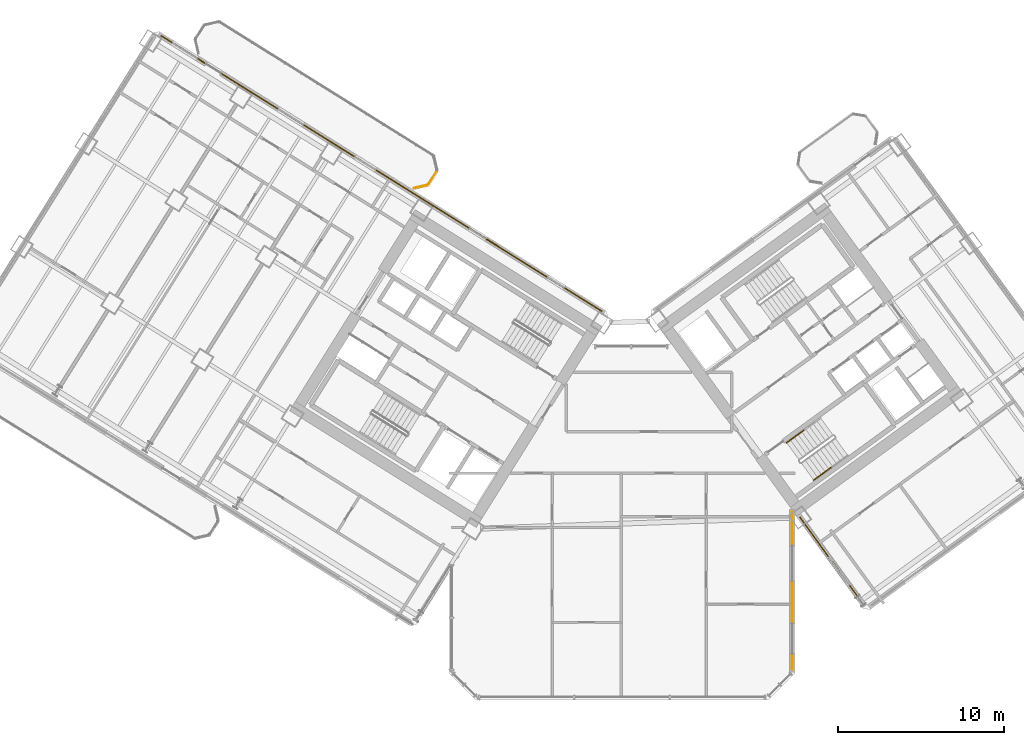
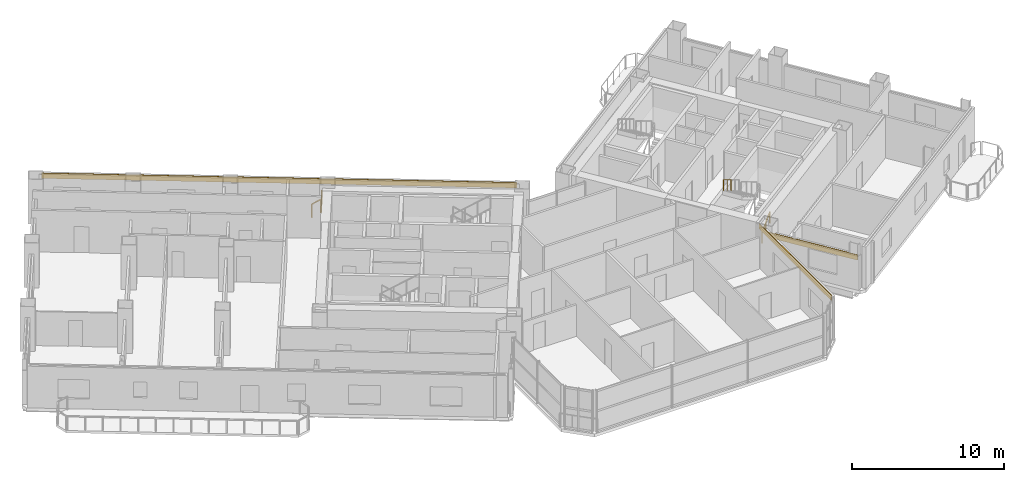
# One storey, part 25 of 28: 4 railings, 3 coverings.
"""IFC4 building model written with IfcOpenShell, lengths in metres."""

import ifcopenshell
import ifcopenshell.guid

model = None  # the IFC model being written
_history = None  # IfcOwnerHistory: only IFC2X3 demands one
_inside = {}  # id of a spatial element -> (the spatial element, [elements in it])
_under = {}  # id of a project, library or spatial element -> (it, [spatial elements below it])
_declared = {}  # id of a project -> (the project, [libraries it declares])
_typed = {}  # id of a type object -> (the type object, [elements of that type])
_made_of = {}  # id of a material, layer set ... -> (it, [elements and type objects made of it])


def new_model(schema):
    """Start an empty IFC model of exactly this schema.

    Asked for "IFC4X3", IfcOpenShell would pick the latest addendum, in which some entities
    have other attributes; the version numbers below select the first issue.
    IFC2X3 requires an IfcOwnerHistory on every rooted entity: one is made here for all.
    """
    global model, _history
    if schema == "IFC4X3":
        model = ifcopenshell.file(schema_version=(4, 3, 0, 0))
    else:
        model = ifcopenshell.file(schema=schema)
    _inside.clear()
    _under.clear()
    _declared.clear()
    _typed.clear()
    _made_of.clear()
    _history = None
    if model.schema == "IFC2X3":
        org = make("IfcOrganization", Name="unknown")
        user = make(
            "IfcPersonAndOrganization",
            ThePerson=make("IfcPerson", FamilyName="unknown"),
            TheOrganization=org,
        )
        app = make(
            "IfcApplication",
            ApplicationDeveloper=org,
            Version="unknown",
            ApplicationFullName="unknown",
            ApplicationIdentifier="unknown",
        )
        _history = make(
            "IfcOwnerHistory",
            OwningUser=user,
            OwningApplication=app,
            ChangeAction="ADDED",
            CreationDate=0,
        )
    return model


def make(cls, **values):
    """One entity of the class cls with the attributes given. An attribute that is None is left unset."""
    return model.create_entity(
        cls, **{name: value for name, value in values.items() if value is not None}
    )


def rooted(cls, **values):
    """An entity with a GlobalId (a new one), such as an element, a storey or a relation."""
    return make(cls, GlobalId=ifcopenshell.guid.new(), OwnerHistory=_history, **values)


def si_unit(unit_type, name, prefix=None):
    """IfcSIUnit, for example si_unit("LENGTHUNIT", "METRE", prefix="MILLI")."""
    return make("IfcSIUnit", UnitType=unit_type, Prefix=prefix, Name=name)


def assignment(units):
    """IfcUnitAssignment: the units of a project."""
    return None if units is None else make("IfcUnitAssignment", Units=units)


def point(xyz):
    """IfcCartesianPoint."""
    return None if xyz is None else make("IfcCartesianPoint", Coordinates=xyz)


def direction(xyz):
    """IfcDirection."""
    return None if xyz is None else make("IfcDirection", DirectionRatios=xyz)


def frame(location, z_axis=None, x_axis=None):
    """IfcAxis2Placement3D, a coordinate frame: its origin and axes. An axis left out is left unset."""
    return make(
        "IfcAxis2Placement3D",
        Location=point(location),
        Axis=direction(z_axis),
        RefDirection=direction(x_axis),
    )


def frame_2d(location, x_axis=None):
    """IfcAxis2Placement2D, a coordinate frame in the plane: its origin and x axis."""
    return make(
        "IfcAxis2Placement2D", Location=point(location), RefDirection=direction(x_axis)
    )


def origin():
    """The frame at (0, 0, 0) with its axes left unset."""
    return frame((0.0, 0.0, 0.0))


def origin_2d():
    """The frame at (0, 0) in the plane with its x axis left unset."""
    return frame_2d((0.0, 0.0))


def place(relative_to, where):
    """IfcLocalPlacement: puts the frame where relative to a parent placement (None: the world)."""
    return make(
        "IfcLocalPlacement", PlacementRelTo=relative_to, RelativePlacement=where
    )


def context(
    kind, dimensions, precision=None, world=None, true_north=None, identifier=None
):
    """IfcGeometricRepresentationContext, for example the 3D "Model" context."""
    return make(
        "IfcGeometricRepresentationContext",
        ContextIdentifier=identifier,
        ContextType=kind,
        CoordinateSpaceDimension=dimensions,
        Precision=precision,
        WorldCoordinateSystem=world,
        TrueNorth=true_north,
    )


def subcontext(parent, identifier, kind, view, scale=None):
    """IfcGeometricRepresentationSubContext, for example "Body" below "Model"."""
    return make(
        "IfcGeometricRepresentationSubContext",
        ContextIdentifier=identifier,
        ContextType=kind,
        ParentContext=parent,
        TargetScale=scale,
        TargetView=view,
    )


def project(units=None, contexts=None):
    """IfcProject with its units and contexts."""
    return rooted(
        "IfcProject",
        Name="project",
        RepresentationContexts=contexts,
        UnitsInContext=assignment(units),
    )


def spatial(cls, under=None, at=None, **own):
    """A site, building, storey or space (cls), placed at a placement, below another one or the project."""
    s = rooted(cls, ObjectPlacement=at, **own)
    if under is not None:
        _under.setdefault(under.id(), (under, []))[1].append(s)
    return s


def profile(cls, at=None, kind="AREA", **sizes):
    """A parametric profile (cls). Its sizes go by their IFC names, for example OverallWidth=200.0."""
    return make(cls, ProfileType=kind, Position=at, **sizes)


def rectangle(**sizes):
    """IfcRectangleProfileDef."""
    return profile("IfcRectangleProfileDef", **sizes)


def extrude(swept, where, along, depth):
    """IfcExtrudedAreaSolid: the profile swept, set in the frame where, extruded along a direction by depth."""
    return make(
        "IfcExtrudedAreaSolid",
        SweptArea=swept,
        Position=where,
        ExtrudedDirection=direction(along),
        Depth=depth,
    )


def shape(context_of_items, identifier, shape_type, items):
    """IfcShapeRepresentation: the items that make up one representation, for example the "Body"."""
    return make(
        "IfcShapeRepresentation",
        ContextOfItems=context_of_items,
        RepresentationIdentifier=identifier,
        RepresentationType=shape_type,
        Items=items,
    )


def source(mapping_origin, context_of_items, identifier, shape_type, items):
    """IfcRepresentationMap: a shape defined once, which mapped items show again and again."""
    return make(
        "IfcRepresentationMap",
        MappingOrigin=mapping_origin,
        MappedRepresentation=shape(context_of_items, identifier, shape_type, items),
    )


def transform(
    local_origin,
    x_axis=None,
    y_axis=None,
    z_axis=None,
    scale=None,
    scale2=None,
    scale3=None,
    uniform=True,
):
    """IfcCartesianTransformationOperator3D, or its non-uniform kind. x_axis, y_axis, z_axis: its Axis1, 2, 3."""
    if uniform:
        return make(
            "IfcCartesianTransformationOperator3D",
            Axis1=direction(x_axis),
            Axis2=direction(y_axis),
            LocalOrigin=point(local_origin),
            Scale=scale,
            Axis3=direction(z_axis),
        )
    return make(
        "IfcCartesianTransformationOperator3DnonUniform",
        Axis1=direction(x_axis),
        Axis2=direction(y_axis),
        LocalOrigin=point(local_origin),
        Scale=scale,
        Axis3=direction(z_axis),
        Scale2=scale2,
        Scale3=scale3,
    )


def mapped(mapping_source, mapping_target):
    """IfcMappedItem: shows the shape of a source again, moved by a transform."""
    return make(
        "IfcMappedItem", MappingSource=mapping_source, MappingTarget=mapping_target
    )


def material(Name=None, Category=None):
    """IfcMaterial."""
    return make("IfcMaterial", Name=Name, Category=Category)


def layer(
    of_material, thickness, ventilated=None, Name=None, Category=None, Priority=None
):
    """IfcMaterialLayer: one layer of a wall or slab, of a material (None: an air gap)."""
    return make(
        "IfcMaterialLayer",
        Material=of_material,
        LayerThickness=thickness,
        IsVentilated=ventilated,
        Name=Name,
        Category=Category,
        Priority=Priority,
    )


def layer_set(layers, Name=None):
    """IfcMaterialLayerSet."""
    return make("IfcMaterialLayerSet", MaterialLayers=layers, LayerSetName=Name)


def made_of(thing, what):
    """Note that an element or type object is made of a material, layer set ...; save() writes the relation."""
    if what is not None:
        _made_of.setdefault(what.id(), (what, []))[1].append(thing)
    return thing


def type_object(cls, material=None, **own):
    """A type object (cls), such as IfcWallType, which elements share."""
    return made_of(rooted(cls, **own), material)


def element(
    cls,
    number,
    at=None,
    inside=None,
    cuts=None,
    type_object=None,
    material=None,
    context=None,
    identifier="Body",
    shape_type=None,
    held_by="IfcProductDefinitionShape",
    body=None,
    shapes=None,
    **own,
):
    """One element of the class cls, such as IfcWall. Its Tag is "e" and its number.

    at: its placement. inside: the storey or other place that contains it. cuts: it is an
    opening in that element (IfcRelVoidsElement). A single representation is given by context,
    identifier, shape_type and body (its items); several are given by shapes. held_by: the class
    of the entity that holds the representations. save() writes the other relations.
    """
    e = rooted(cls, Tag="e%d" % number, ObjectPlacement=at, **own)
    if body is not None:
        shapes = [shape(context, identifier, shape_type, body)]
    if shapes is not None:
        e.Representation = make(held_by, Representations=shapes)
    if inside is not None:
        _inside.setdefault(inside.id(), (inside, []))[1].append(e)
    if cuts is not None:
        rooted(
            "IfcRelVoidsElement", RelatingBuildingElement=cuts, RelatedOpeningElement=e
        )
    if type_object is not None:
        _typed.setdefault(type_object.id(), (type_object, []))[1].append(e)
    return made_of(e, material)


def aggregate(whole, parts):
    """IfcRelAggregates: a whole, such as a stair, and the parts it consists of."""
    return rooted("IfcRelAggregates", RelatingObject=whole, RelatedObjects=parts)


def save(model, path):
    """Write the relations noted so far, then the file.

    IfcRelAggregates (storeys below a building ...), IfcRelContainedInSpatialStructure (elements
    in a storey), IfcRelDefinesByType, IfcRelAssociatesMaterial and IfcRelDeclares: one each for
    every whole, place, type object, material and project.
    """
    for whole, parts in _under.values():
        aggregate(whole, parts)
    for where, things in _inside.values():
        rooted(
            "IfcRelContainedInSpatialStructure",
            RelatedElements=things,
            RelatingStructure=where,
        )
    for kind, things in _typed.values():
        rooted("IfcRelDefinesByType", RelatedObjects=things, RelatingType=kind)
    for what, things in _made_of.values():
        rooted("IfcRelAssociatesMaterial", RelatedObjects=things, RelatingMaterial=what)
    for by, libraries in _declared.values():
        rooted("IfcRelDeclares", RelatingContext=by, RelatedDefinitions=libraries)
    model.write(path)


model = new_model("IFC4")

# Units and contexts
model_context = context("Model", 3, precision=1e-05, world=origin(), true_north=direction((0.0, 1.0)))
body_context = subcontext(model_context, "Body", "Model", "MODEL_VIEW")
ifc_project = project(units=[si_unit("LENGTHUNIT", "METRE"), si_unit("AREAUNIT", "SQUARE_METRE"), si_unit("VOLUMEUNIT", "CUBIC_METRE"), si_unit("PLANEANGLEUNIT", "RADIAN"), si_unit("MASSUNIT", "GRAM", prefix="KILO")], contexts=[model_context])

# Site, building, storey
site_placement = place(None, origin())
site = spatial("IfcSite", under=ifc_project, at=site_placement, CompositionType="ELEMENT")
building_placement = place(site_placement, origin())
building = spatial("IfcBuilding", under=site, at=building_placement, Name="Tlacorven Tower", CompositionType="ELEMENT")
storey_placement = place(building_placement, frame((0.0, 0.0, 34.800048828125)))
storey = spatial("IfcBuildingStorey", under=building, at=storey_placement, Name="L08", CompositionType="ELEMENT", Elevation=34.800048828125)

# Railings
ifc_material_1 = material(Name="Aluminium and painted steel balustrade", Category="steel")
railing_type_1 = type_object("IfcRailingType", Name="RL-BAL-1100", PredefinedType="BALUSTRADE", material=ifc_material_1)
shared_shape_1 = source(origin(), body_context, "Body", "SweptSolid", [
    extrude(rectangle(XDim=0.048095703125, YDim=0.048095703125, at=origin_2d()), frame((0.0, 0.0, 1.076171875), z_axis=(-0.52987865805, -0.848073468364, 0.0), x_axis=(0.848073468364, -0.52987865805, 0.0)), (0.0, 0.0, 1.0), 0.912353515625),
    extrude(rectangle(XDim=0.0419921875, YDim=0.0419921875, at=origin_2d()), origin(), (0.0, 0.0, 1.0), 1.052001953125),
    extrude(rectangle(XDim=0.0419921875, YDim=0.0419921875, at=origin_2d()), frame((-0.4833984375, -0.773681640625, 0.0)), (0.0, 0.0, 1.0), 1.052001953125),
])
railing_1_placement = place(storey_placement, frame((30.845947265625, 33.588623046875, 0.0)))
element("IfcRailing", 1, at=railing_1_placement, inside=storey, type_object=railing_type_1, Name="BAL-L08-W-IN Guard Railing 2", PredefinedType="BALUSTRADE", context=body_context, shape_type="MappedRepresentation", body=[
    mapped(shared_shape_1, transform((0.0, 0.0, 0.0), scale=1.0)),
])
shared_shape_2 = source(origin(), body_context, "Body", "SweptSolid", [
    extrude(rectangle(XDim=0.048095703125, YDim=0.048095703125, at=origin_2d()), frame((0.0, 0.0, 1.076171875), z_axis=(-0.974345290916, -0.225058334816, 0.0), x_axis=(0.225058334816, -0.974345290916, 0.0)), (0.0, 0.0, 1.0), 0.80712890625),
    extrude(rectangle(XDim=0.0419921875, YDim=0.0419921875, at=origin_2d()), origin(), (0.0, 0.0, 1.0), 1.052001953125),
    extrude(rectangle(XDim=0.0419921875, YDim=0.0419921875, at=origin_2d()), frame((-0.786376953125, -0.181640625, 0.0)), (0.0, 0.0, 1.0), 1.052001953125),
])
railing_2_placement = place(storey_placement, frame((30.287353515625, 32.761474609375, 0.0)))
element("IfcRailing", 2, at=railing_2_placement, inside=storey, type_object=railing_type_1, Name="BAL-L08-W-IN Guard Railing 3", PredefinedType="BALUSTRADE", context=body_context, shape_type="MappedRepresentation", body=[
    mapped(shared_shape_2, transform((0.0, 0.0, 0.0), scale=1.0)),
])

# Coverings
ifc_material_2 = material(Name="Precast concrete C45/55", Category="concrete")
ifc_layer = layer(ifc_material_2, 0.06005859375)
ifc_layer_set = layer_set([ifc_layer], Name="Precast concrete C45/55")
covering_type = type_object("IfcCoveringType", Name="CV-CLD-TERC", PredefinedType="CLADDING", material=ifc_layer_set)
shared_shape_3 = source(origin(), body_context, "Body", "SweptSolid", [
    extrude(rectangle(XDim=31.287353515625, YDim=0.06005859375, at=origin_2d()), origin(), (0.0, 0.0, 1.0), 0.419921875),
])
covering_1_placement = place(storey_placement, frame((27.5322265625, 33.455810546875, 2.929931640625), z_axis=(0.0, 0.0, 1.0), x_axis=(0.84804812172, -0.529919223323, 0.0)))
element("IfcCovering", 3, at=covering_1_placement, inside=storey, type_object=covering_type, Name="L08 Masonry-Frame Spandrel Cladding 3", PredefinedType="CLADDING", context=body_context, shape_type="MappedRepresentation", body=[
    mapped(shared_shape_3, transform((0.0, 0.0, 0.0), scale=1.0)),
])
shared_shape_4 = source(origin(), body_context, "Body", "SweptSolid", [
    extrude(rectangle(XDim=6.4736328125, YDim=0.06005859375, at=origin_2d()), origin(), (0.0, 0.0, 1.0), 0.419921875),
])
covering_2_placement = place(storey_placement, frame((54.59033203125, 10.178955078125, 2.304931640625), z_axis=(0.0, 0.0, 1.0), x_axis=(-0.587785622053, 0.809016725728, 0.0)))
element("IfcCovering", 4, at=covering_2_placement, inside=storey, type_object=covering_type, Name="L08 Masonry-Frame Spandrel Cladding 7", PredefinedType="CLADDING", context=body_context, shape_type="MappedRepresentation", body=[
    mapped(shared_shape_4, transform((0.0, 0.0, 0.0), scale=1.0)),
])
shared_shape_5 = source(origin(), body_context, "Body", "SweptSolid", [
    extrude(rectangle(XDim=9.49462890625, YDim=0.06005859375, at=origin_2d()), origin(), (0.0, 0.0, 1.0), 0.419921875),
])
covering_3_placement = place(storey_placement, frame((52.239990234375, 8.363525390625, 2.929931640625), z_axis=(0.0, 0.0, 1.0), x_axis=(0.0, -1.0, 0.0)))
element("IfcCovering", 5, at=covering_3_placement, inside=storey, type_object=covering_type, Name="L08 Masonry-Frame Spandrel Cladding 8", PredefinedType="CLADDING", context=body_context, shape_type="MappedRepresentation", body=[
    mapped(shared_shape_5, transform((0.0, 0.0, 0.0), scale=1.0)),
])

# Railings
railing_type_2 = type_object("IfcRailingType", Name="RL-HND-0900", PredefinedType="HANDRAIL", material=ifc_material_1)
shared_shape_6 = source(origin(), body_context, "Body", "SweptSolid", [
    extrude(rectangle(XDim=0.048095703125, YDim=0.048095703125, at=origin_2d()), frame((0.0, 0.0, 0.8759765625), z_axis=(-0.680521190579, -0.494539231669, 0.540667973449), x_axis=(0.587872112667, -0.808953879494, 0.0)), (0.0, 0.0, 1.0), 1.497802734375),
    extrude(rectangle(XDim=0.0419921875, YDim=0.0419921875, at=origin_2d()), origin(), (0.0, 0.0, 1.0), 0.851806640625),
    extrude(rectangle(XDim=0.0419921875, YDim=0.0419921875, at=origin_2d()), frame((-0.509765625, -0.370361328125, 0.40478515625)), (0.0, 0.0, 1.0), 0.851806640625),
    extrude(rectangle(XDim=0.0419921875, YDim=0.0419921875, at=origin_2d()), frame((-1.019287109375, -0.74072265625, 0.809814453125)), (0.0, 0.0, 1.0), 0.851806640625),
])
railing_3_placement = place(storey_placement, frame((52.9189453125, 18.0087890625, 2.7900390625)))
element("IfcRailing", 6, at=railing_3_placement, inside=storey, type_object=railing_type_2, Name="L08 ST-E2 stair handrail 4", PredefinedType="HANDRAIL", context=body_context, shape_type="MappedRepresentation", body=[
    mapped(shared_shape_6, transform((0.0, 0.0, 0.0), scale=1.0)),
])
shared_shape_7 = source(origin(), body_context, "Body", "SweptSolid", [
    extrude(rectangle(XDim=0.048095703125, YDim=0.048095703125, at=origin_2d()), frame((0.0, 0.0, 0.8759765625), z_axis=(0.680461216233, 0.494495647917, 0.540783309093), x_axis=(-0.587872112667, 0.808953879494, 0.0)), (0.0, 0.0, 1.0), 1.498046875),
    extrude(rectangle(XDim=0.0419921875, YDim=0.0419921875, at=origin_2d()), origin(), (0.0, 0.0, 1.0), 0.851806640625),
    extrude(rectangle(XDim=0.0419921875, YDim=0.0419921875, at=origin_2d()), frame((0.509765625, 0.370361328125, 0.405029296875)), (0.0, 0.0, 1.0), 0.851806640625),
    extrude(rectangle(XDim=0.0419921875, YDim=0.0419921875, at=origin_2d()), frame((1.019287109375, 0.74072265625, 0.81005859375)), (0.0, 0.0, 1.0), 0.851806640625),
])
railing_4_placement = place(storey_placement, frame((53.53369140625, 15.01904296875, 0.179931640625)))
element("IfcRailing", 7, at=railing_4_placement, inside=storey, type_object=railing_type_2, Name="L08 ST-E2 stair handrail 1", PredefinedType="HANDRAIL", context=body_context, shape_type="MappedRepresentation", body=[
    mapped(shared_shape_7, transform((0.0, 0.0, 0.0), scale=1.0)),
])

save(model, "model.ifc")
